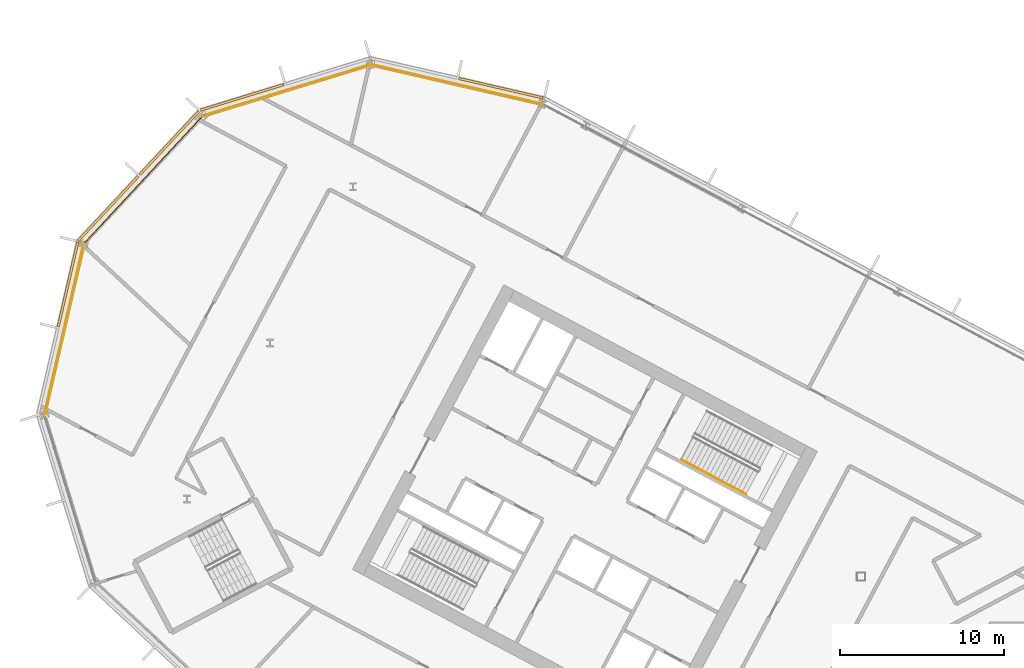
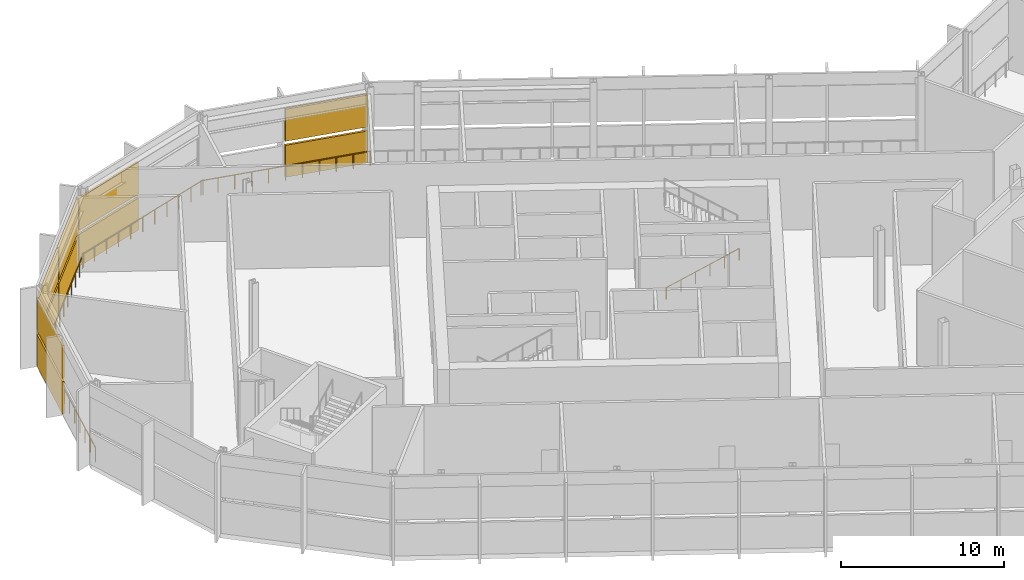
# One storey, part 25 of 33: 10 shading devices, 5 railings, 4 elements without a shape of their own.
"""IFC4 building model written with IfcOpenShell, lengths in metres."""

import ifcopenshell
import ifcopenshell.guid

model = None  # the IFC model being written
_history = None  # IfcOwnerHistory: only IFC2X3 demands one
_inside = {}  # id of a spatial element -> (the spatial element, [elements in it])
_under = {}  # id of a project, library or spatial element -> (it, [spatial elements below it])
_declared = {}  # id of a project -> (the project, [libraries it declares])
_typed = {}  # id of a type object -> (the type object, [elements of that type])
_made_of = {}  # id of a material, layer set ... -> (it, [elements and type objects made of it])


def new_model(schema):
    """Start an empty IFC model of exactly this schema.

    Asked for "IFC4X3", IfcOpenShell would pick the latest addendum, in which some entities
    have other attributes; the version numbers below select the first issue.
    IFC2X3 requires an IfcOwnerHistory on every rooted entity: one is made here for all.
    """
    global model, _history
    if schema == "IFC4X3":
        model = ifcopenshell.file(schema_version=(4, 3, 0, 0))
    else:
        model = ifcopenshell.file(schema=schema)
    _inside.clear()
    _under.clear()
    _declared.clear()
    _typed.clear()
    _made_of.clear()
    _history = None
    if model.schema == "IFC2X3":
        org = make("IfcOrganization", Name="unknown")
        user = make(
            "IfcPersonAndOrganization",
            ThePerson=make("IfcPerson", FamilyName="unknown"),
            TheOrganization=org,
        )
        app = make(
            "IfcApplication",
            ApplicationDeveloper=org,
            Version="unknown",
            ApplicationFullName="unknown",
            ApplicationIdentifier="unknown",
        )
        _history = make(
            "IfcOwnerHistory",
            OwningUser=user,
            OwningApplication=app,
            ChangeAction="ADDED",
            CreationDate=0,
        )
    return model


def make(cls, **values):
    """One entity of the class cls with the attributes given. An attribute that is None is left unset."""
    return model.create_entity(
        cls, **{name: value for name, value in values.items() if value is not None}
    )


def rooted(cls, **values):
    """An entity with a GlobalId (a new one), such as an element, a storey or a relation."""
    return make(cls, GlobalId=ifcopenshell.guid.new(), OwnerHistory=_history, **values)


def si_unit(unit_type, name, prefix=None):
    """IfcSIUnit, for example si_unit("LENGTHUNIT", "METRE", prefix="MILLI")."""
    return make("IfcSIUnit", UnitType=unit_type, Prefix=prefix, Name=name)


def assignment(units):
    """IfcUnitAssignment: the units of a project."""
    return None if units is None else make("IfcUnitAssignment", Units=units)


def point(xyz):
    """IfcCartesianPoint."""
    return None if xyz is None else make("IfcCartesianPoint", Coordinates=xyz)


def direction(xyz):
    """IfcDirection."""
    return None if xyz is None else make("IfcDirection", DirectionRatios=xyz)


def frame(location, z_axis=None, x_axis=None):
    """IfcAxis2Placement3D, a coordinate frame: its origin and axes. An axis left out is left unset."""
    return make(
        "IfcAxis2Placement3D",
        Location=point(location),
        Axis=direction(z_axis),
        RefDirection=direction(x_axis),
    )


def frame_2d(location, x_axis=None):
    """IfcAxis2Placement2D, a coordinate frame in the plane: its origin and x axis."""
    return make(
        "IfcAxis2Placement2D", Location=point(location), RefDirection=direction(x_axis)
    )


def origin():
    """The frame at (0, 0, 0) with its axes left unset."""
    return frame((0.0, 0.0, 0.0))


def origin_2d():
    """The frame at (0, 0) in the plane with its x axis left unset."""
    return frame_2d((0.0, 0.0))


def place(relative_to, where):
    """IfcLocalPlacement: puts the frame where relative to a parent placement (None: the world)."""
    return make(
        "IfcLocalPlacement", PlacementRelTo=relative_to, RelativePlacement=where
    )


def context(
    kind, dimensions, precision=None, world=None, true_north=None, identifier=None
):
    """IfcGeometricRepresentationContext, for example the 3D "Model" context."""
    return make(
        "IfcGeometricRepresentationContext",
        ContextIdentifier=identifier,
        ContextType=kind,
        CoordinateSpaceDimension=dimensions,
        Precision=precision,
        WorldCoordinateSystem=world,
        TrueNorth=true_north,
    )


def subcontext(parent, identifier, kind, view, scale=None):
    """IfcGeometricRepresentationSubContext, for example "Body" below "Model"."""
    return make(
        "IfcGeometricRepresentationSubContext",
        ContextIdentifier=identifier,
        ContextType=kind,
        ParentContext=parent,
        TargetScale=scale,
        TargetView=view,
    )


def project(units=None, contexts=None):
    """IfcProject with its units and contexts."""
    return rooted(
        "IfcProject",
        Name="project",
        RepresentationContexts=contexts,
        UnitsInContext=assignment(units),
    )


def spatial(cls, under=None, at=None, **own):
    """A site, building, storey or space (cls), placed at a placement, below another one or the project."""
    s = rooted(cls, ObjectPlacement=at, **own)
    if under is not None:
        _under.setdefault(under.id(), (under, []))[1].append(s)
    return s


def polyline(points):
    """IfcPolyline through the points."""
    return make("IfcPolyline", Points=[point(p) for p in points])


def profile(cls, at=None, kind="AREA", **sizes):
    """A parametric profile (cls). Its sizes go by their IFC names, for example OverallWidth=200.0."""
    return make(cls, ProfileType=kind, Position=at, **sizes)


def rectangle(**sizes):
    """IfcRectangleProfileDef."""
    return profile("IfcRectangleProfileDef", **sizes)


def outline(outer, holes=None, kind="AREA"):
    """IfcArbitraryClosedProfileDef: a profile drawn as a closed curve; with holes, ...WithVoids."""
    if holes is None:
        return make("IfcArbitraryClosedProfileDef", ProfileType=kind, OuterCurve=outer)
    return make(
        "IfcArbitraryProfileDefWithVoids",
        ProfileType=kind,
        OuterCurve=outer,
        InnerCurves=holes,
    )


def extrude(swept, where, along, depth):
    """IfcExtrudedAreaSolid: the profile swept, set in the frame where, extruded along a direction by depth."""
    return make(
        "IfcExtrudedAreaSolid",
        SweptArea=swept,
        Position=where,
        ExtrudedDirection=direction(along),
        Depth=depth,
    )


def shape(context_of_items, identifier, shape_type, items):
    """IfcShapeRepresentation: the items that make up one representation, for example the "Body"."""
    return make(
        "IfcShapeRepresentation",
        ContextOfItems=context_of_items,
        RepresentationIdentifier=identifier,
        RepresentationType=shape_type,
        Items=items,
    )


def material(Name=None, Category=None):
    """IfcMaterial."""
    return make("IfcMaterial", Name=Name, Category=Category)


def layer(
    of_material, thickness, ventilated=None, Name=None, Category=None, Priority=None
):
    """IfcMaterialLayer: one layer of a wall or slab, of a material (None: an air gap)."""
    return make(
        "IfcMaterialLayer",
        Material=of_material,
        LayerThickness=thickness,
        IsVentilated=ventilated,
        Name=Name,
        Category=Category,
        Priority=Priority,
    )


def layer_set(layers, Name=None):
    """IfcMaterialLayerSet."""
    return make("IfcMaterialLayerSet", MaterialLayers=layers, LayerSetName=Name)


def made_of(thing, what):
    """Note that an element or type object is made of a material, layer set ...; save() writes the relation."""
    if what is not None:
        _made_of.setdefault(what.id(), (what, []))[1].append(thing)
    return thing


def type_object(cls, material=None, **own):
    """A type object (cls), such as IfcWallType, which elements share."""
    return made_of(rooted(cls, **own), material)


def element(
    cls,
    number,
    at=None,
    inside=None,
    cuts=None,
    type_object=None,
    material=None,
    context=None,
    identifier="Body",
    shape_type=None,
    held_by="IfcProductDefinitionShape",
    body=None,
    shapes=None,
    **own,
):
    """One element of the class cls, such as IfcWall. Its Tag is "e" and its number.

    at: its placement. inside: the storey or other place that contains it. cuts: it is an
    opening in that element (IfcRelVoidsElement). A single representation is given by context,
    identifier, shape_type and body (its items); several are given by shapes. held_by: the class
    of the entity that holds the representations. save() writes the other relations.
    """
    e = rooted(cls, Tag="e%d" % number, ObjectPlacement=at, **own)
    if body is not None:
        shapes = [shape(context, identifier, shape_type, body)]
    if shapes is not None:
        e.Representation = make(held_by, Representations=shapes)
    if inside is not None:
        _inside.setdefault(inside.id(), (inside, []))[1].append(e)
    if cuts is not None:
        rooted(
            "IfcRelVoidsElement", RelatingBuildingElement=cuts, RelatedOpeningElement=e
        )
    if type_object is not None:
        _typed.setdefault(type_object.id(), (type_object, []))[1].append(e)
    return made_of(e, material)


def aggregate(whole, parts):
    """IfcRelAggregates: a whole, such as a stair, and the parts it consists of."""
    return rooted("IfcRelAggregates", RelatingObject=whole, RelatedObjects=parts)


def save(model, path):
    """Write the relations noted so far, then the file.

    IfcRelAggregates (storeys below a building ...), IfcRelContainedInSpatialStructure (elements
    in a storey), IfcRelDefinesByType, IfcRelAssociatesMaterial and IfcRelDeclares: one each for
    every whole, place, type object, material and project.
    """
    for whole, parts in _under.values():
        aggregate(whole, parts)
    for where, things in _inside.values():
        rooted(
            "IfcRelContainedInSpatialStructure",
            RelatedElements=things,
            RelatingStructure=where,
        )
    for kind, things in _typed.values():
        rooted("IfcRelDefinesByType", RelatedObjects=things, RelatingType=kind)
    for what, things in _made_of.values():
        rooted("IfcRelAssociatesMaterial", RelatedObjects=things, RelatingMaterial=what)
    for by, libraries in _declared.values():
        rooted("IfcRelDeclares", RelatingContext=by, RelatedDefinitions=libraries)
    model.write(path)


model = new_model("IFC4")

# Units and contexts
model_context = context("Model", 3, precision=1e-05, world=origin(), true_north=direction((0.0, 1.0)))
body_context = subcontext(model_context, "Body", "Model", "MODEL_VIEW")
ifc_project = project(units=[si_unit("LENGTHUNIT", "METRE"), si_unit("AREAUNIT", "SQUARE_METRE"), si_unit("VOLUMEUNIT", "CUBIC_METRE"), si_unit("PLANEANGLEUNIT", "RADIAN"), si_unit("MASSUNIT", "GRAM", prefix="KILO")], contexts=[model_context])

# Site, building, storey
site_placement = place(None, origin())
site = spatial("IfcSite", under=ifc_project, at=site_placement, CompositionType="ELEMENT")
building_placement = place(site_placement, origin())
building = spatial("IfcBuilding", under=site, at=building_placement, Name="Cormorant Relay Tower", CompositionType="ELEMENT")
storey_placement = place(building_placement, frame((0.0, 0.0, 183.60009765625)))
storey = spatial("IfcBuildingStorey", under=building, at=storey_placement, Name="L39", CompositionType="ELEMENT", Elevation=183.60009765625)

# Railings
ifc_material_1 = material(Name="Stainless steel 316 guard", Category="steel")
railing_type_1 = type_object("IfcRailingType", Name="Band louvre guard 1100", PredefinedType="GUARDRAIL", material=ifc_material_1)
railing_1_placement = place(storey_placement, frame((-29.941162109375, 39.375732421875, 0.0)))
element("IfcRailing", 1, at=railing_1_placement, inside=storey, type_object=railing_type_1, Name="CW4 guard 10", PredefinedType="GUARDRAIL", context=body_context, shape_type="SweptSolid", body=[
    extrude(outline(polyline([(0.022216796875, 0.00927734375), (0.00927734375, 0.022216796875), (-0.00927734375, 0.022216796875), (-0.022216796875, 0.00927734375), (-0.022216796875, -0.00927734375), (-0.00927734375, -0.022216796875), (0.00927734375, -0.022216796875), (0.022216796875, -0.00927734375), (0.022216796875, 0.00927734375)])), frame((0.0, 0.0, 1.076171875), z_axis=(-0.974369993916, 0.22495136131, 0.0), x_axis=(-0.22495136131, -0.974369993916, 0.0)), (0.0, 0.0, 1.0), 10.870361328125),
    extrude(outline(polyline([(0.019287109375, 0.008056640625), (0.008056640625, 0.019287109375), (-0.008056640625, 0.019287109375), (-0.019287109375, 0.008056640625), (-0.019287109375, -0.008056640625), (-0.008056640625, -0.019287109375), (0.008056640625, -0.019287109375), (0.019287109375, -0.008056640625), (0.019287109375, 0.008056640625)])), origin(), (0.0, 0.0, 1.0), 1.052001953125),
    extrude(outline(polyline([(0.019287109375, 0.008056640625), (0.008056640625, 0.019287109375), (-0.008056640625, 0.019287109375), (-0.019287109375, 0.008056640625), (-0.019287109375, -0.008056640625), (-0.008056640625, -0.019287109375), (0.008056640625, -0.019287109375), (0.019287109375, -0.008056640625), (0.019287109375, 0.008056640625)])), frame((-1.05908203125, 0.24462890625, 0.0)), (0.0, 0.0, 1.0), 1.052001953125),
    extrude(outline(polyline([(0.019287109375, 0.008056640625), (0.008056640625, 0.019287109375), (-0.008056640625, 0.019287109375), (-0.019287109375, 0.008056640625), (-0.019287109375, -0.008056640625), (-0.008056640625, -0.019287109375), (0.008056640625, -0.019287109375), (0.019287109375, -0.008056640625), (0.019287109375, 0.008056640625)])), frame((-2.118408203125, 0.489013671875, 0.0)), (0.0, 0.0, 1.0), 1.052001953125),
    extrude(outline(polyline([(0.019287109375, 0.008056640625), (0.008056640625, 0.019287109375), (-0.008056640625, 0.019287109375), (-0.019287109375, 0.008056640625), (-0.019287109375, -0.008056640625), (-0.008056640625, -0.019287109375), (0.008056640625, -0.019287109375), (0.019287109375, -0.008056640625), (0.019287109375, 0.008056640625)])), frame((-3.177490234375, 0.733642578125, 0.0)), (0.0, 0.0, 1.0), 1.052001953125),
    extrude(outline(polyline([(0.019287109375, 0.008056640625), (0.008056640625, 0.019287109375), (-0.008056640625, 0.019287109375), (-0.019287109375, 0.008056640625), (-0.019287109375, -0.008056640625), (-0.008056640625, -0.019287109375), (0.008056640625, -0.019287109375), (0.019287109375, -0.008056640625), (0.019287109375, 0.008056640625)])), frame((-4.23681640625, 0.97802734375, 0.0)), (0.0, 0.0, 1.0), 1.052001953125),
    extrude(outline(polyline([(0.019287109375, 0.008056640625), (0.008056640625, 0.019287109375), (-0.008056640625, 0.019287109375), (-0.019287109375, 0.008056640625), (-0.019287109375, -0.008056640625), (-0.008056640625, -0.019287109375), (0.008056640625, -0.019287109375), (0.019287109375, -0.008056640625), (0.019287109375, 0.008056640625)])), frame((-5.2958984375, 1.22265625, 0.0)), (0.0, 0.0, 1.0), 1.052001953125),
    extrude(outline(polyline([(0.019287109375, 0.008056640625), (0.008056640625, 0.019287109375), (-0.008056640625, 0.019287109375), (-0.019287109375, 0.008056640625), (-0.019287109375, -0.008056640625), (-0.008056640625, -0.019287109375), (0.008056640625, -0.019287109375), (0.019287109375, -0.008056640625), (0.019287109375, 0.008056640625)])), frame((-6.35498046875, 1.46728515625, 0.0)), (0.0, 0.0, 1.0), 1.052001953125),
    extrude(outline(polyline([(0.019287109375, 0.008056640625), (0.008056640625, 0.019287109375), (-0.008056640625, 0.019287109375), (-0.019287109375, 0.008056640625), (-0.019287109375, -0.008056640625), (-0.008056640625, -0.019287109375), (0.008056640625, -0.019287109375), (0.019287109375, -0.008056640625), (0.019287109375, 0.008056640625)])), frame((-7.414306640625, 1.711669921875, 0.0)), (0.0, 0.0, 1.0), 1.052001953125),
    extrude(outline(polyline([(0.019287109375, 0.008056640625), (0.008056640625, 0.019287109375), (-0.008056640625, 0.019287109375), (-0.019287109375, 0.008056640625), (-0.019287109375, -0.008056640625), (-0.008056640625, -0.019287109375), (0.008056640625, -0.019287109375), (0.019287109375, -0.008056640625), (0.019287109375, 0.008056640625)])), frame((-8.473388671875, 1.956298828125, 0.0)), (0.0, 0.0, 1.0), 1.052001953125),
    extrude(outline(polyline([(0.019287109375, 0.008056640625), (0.008056640625, 0.019287109375), (-0.008056640625, 0.019287109375), (-0.019287109375, 0.008056640625), (-0.019287109375, -0.008056640625), (-0.008056640625, -0.019287109375), (0.008056640625, -0.019287109375), (0.019287109375, -0.008056640625), (0.019287109375, 0.008056640625)])), frame((-9.53271484375, 2.20068359375, 0.0)), (0.0, 0.0, 1.0), 1.052001953125),
    extrude(outline(polyline([(0.019287109375, 0.008056640625), (0.008056640625, 0.019287109375), (-0.008056640625, 0.019287109375), (-0.019287109375, 0.008056640625), (-0.019287109375, -0.008056640625), (-0.008056640625, -0.019287109375), (0.008056640625, -0.019287109375), (0.019287109375, -0.008056640625), (0.019287109375, 0.008056640625)])), frame((-10.591796875, 2.4453125, 0.0)), (0.0, 0.0, 1.0), 1.052001953125),
])
railing_2_placement = place(storey_placement, frame((-40.377685546875, 41.826416015625, 0.0)))
element("IfcRailing", 2, at=railing_2_placement, inside=storey, type_object=railing_type_1, Name="CW4 guard 11", PredefinedType="GUARDRAIL", context=body_context, shape_type="SweptSolid", body=[
    extrude(outline(polyline([(0.022216796875, 0.00927734375), (0.00927734375, 0.022216796875), (-0.00927734375, 0.022216796875), (-0.022216796875, 0.00927734375), (-0.022216796875, -0.00927734375), (-0.00927734375, -0.022216796875), (0.00927734375, -0.022216796875), (0.022216796875, -0.00927734375), (0.022216796875, 0.00927734375)])), frame((0.0, 0.0, 1.076171875), z_axis=(-0.956304833932, -0.292371449698, 0.0), x_axis=(0.292371449698, -0.956304833932, 0.0)), (0.0, 0.0, 1.0), 10.87060546875),
    extrude(outline(polyline([(0.019287109375, 0.008056640625), (0.008056640625, 0.019287109375), (-0.008056640625, 0.019287109375), (-0.019287109375, 0.008056640625), (-0.019287109375, -0.008056640625), (-0.008056640625, -0.019287109375), (0.008056640625, -0.019287109375), (0.019287109375, -0.008056640625), (0.019287109375, 0.008056640625)])), origin(), (0.0, 0.0, 1.0), 1.052001953125),
    extrude(outline(polyline([(0.019287109375, 0.008056640625), (0.008056640625, 0.019287109375), (-0.008056640625, 0.019287109375), (-0.019287109375, 0.008056640625), (-0.019287109375, -0.008056640625), (-0.008056640625, -0.019287109375), (0.008056640625, -0.019287109375), (0.019287109375, -0.008056640625), (0.019287109375, 0.008056640625)])), frame((-1.03955078125, -0.31787109375, 0.0)), (0.0, 0.0, 1.0), 1.052001953125),
    extrude(outline(polyline([(0.019287109375, 0.008056640625), (0.008056640625, 0.019287109375), (-0.008056640625, 0.019287109375), (-0.019287109375, 0.008056640625), (-0.019287109375, -0.008056640625), (-0.008056640625, -0.019287109375), (0.008056640625, -0.019287109375), (0.019287109375, -0.008056640625), (0.019287109375, 0.008056640625)])), frame((-2.0791015625, -0.6357421875, 0.0)), (0.0, 0.0, 1.0), 1.052001953125),
    extrude(outline(polyline([(0.019287109375, 0.008056640625), (0.008056640625, 0.019287109375), (-0.008056640625, 0.019287109375), (-0.019287109375, 0.008056640625), (-0.019287109375, -0.008056640625), (-0.008056640625, -0.019287109375), (0.008056640625, -0.019287109375), (0.019287109375, -0.008056640625), (0.019287109375, 0.008056640625)])), frame((-3.11865234375, -0.953369140625, 0.0)), (0.0, 0.0, 1.0), 1.052001953125),
    extrude(outline(polyline([(0.019287109375, 0.008056640625), (0.008056640625, 0.019287109375), (-0.008056640625, 0.019287109375), (-0.019287109375, 0.008056640625), (-0.019287109375, -0.008056640625), (-0.008056640625, -0.019287109375), (0.008056640625, -0.019287109375), (0.019287109375, -0.008056640625), (0.019287109375, 0.008056640625)])), frame((-4.158203125, -1.271240234375, 0.0)), (0.0, 0.0, 1.0), 1.052001953125),
    extrude(outline(polyline([(0.019287109375, 0.008056640625), (0.008056640625, 0.019287109375), (-0.008056640625, 0.019287109375), (-0.019287109375, 0.008056640625), (-0.019287109375, -0.008056640625), (-0.008056640625, -0.019287109375), (0.008056640625, -0.019287109375), (0.019287109375, -0.008056640625), (0.019287109375, 0.008056640625)])), frame((-5.19775390625, -1.589111328125, 0.0)), (0.0, 0.0, 1.0), 1.052001953125),
    extrude(outline(polyline([(0.019287109375, 0.008056640625), (0.008056640625, 0.019287109375), (-0.008056640625, 0.019287109375), (-0.019287109375, 0.008056640625), (-0.019287109375, -0.008056640625), (-0.008056640625, -0.019287109375), (0.008056640625, -0.019287109375), (0.019287109375, -0.008056640625), (0.019287109375, 0.008056640625)])), frame((-6.2373046875, -1.906982421875, 0.0)), (0.0, 0.0, 1.0), 1.052001953125),
    extrude(outline(polyline([(0.019287109375, 0.008056640625), (0.008056640625, 0.019287109375), (-0.008056640625, 0.019287109375), (-0.019287109375, 0.008056640625), (-0.019287109375, -0.008056640625), (-0.008056640625, -0.019287109375), (0.008056640625, -0.019287109375), (0.019287109375, -0.008056640625), (0.019287109375, 0.008056640625)])), frame((-7.27685546875, -2.224853515625, 0.0)), (0.0, 0.0, 1.0), 1.052001953125),
    extrude(outline(polyline([(0.019287109375, 0.008056640625), (0.008056640625, 0.019287109375), (-0.008056640625, 0.019287109375), (-0.019287109375, 0.008056640625), (-0.019287109375, -0.008056640625), (-0.008056640625, -0.019287109375), (0.008056640625, -0.019287109375), (0.019287109375, -0.008056640625), (0.019287109375, 0.008056640625)])), frame((-8.31640625, -2.54248046875, 0.0)), (0.0, 0.0, 1.0), 1.052001953125),
    extrude(outline(polyline([(0.019287109375, 0.008056640625), (0.008056640625, 0.019287109375), (-0.008056640625, 0.019287109375), (-0.019287109375, 0.008056640625), (-0.019287109375, -0.008056640625), (-0.008056640625, -0.019287109375), (0.008056640625, -0.019287109375), (0.019287109375, -0.008056640625), (0.019287109375, 0.008056640625)])), frame((-9.35595703125, -2.8603515625, 0.0)), (0.0, 0.0, 1.0), 1.052001953125),
    extrude(outline(polyline([(0.019287109375, 0.008056640625), (0.008056640625, 0.019287109375), (-0.008056640625, 0.019287109375), (-0.019287109375, 0.008056640625), (-0.019287109375, -0.008056640625), (-0.008056640625, -0.019287109375), (0.008056640625, -0.019287109375), (0.019287109375, -0.008056640625), (0.019287109375, 0.008056640625)])), frame((-10.3955078125, -3.17822265625, 0.0)), (0.0, 0.0, 1.0), 1.052001953125),
])
railing_3_placement = place(storey_placement, frame((-50.6416015625, 38.730712890625, 0.0)))
element("IfcRailing", 3, at=railing_3_placement, inside=storey, type_object=railing_type_1, Name="CW4 guard 12", PredefinedType="GUARDRAIL", context=body_context, shape_type="SweptSolid", body=[
    extrude(outline(polyline([(0.022216796875, 0.00927734375), (0.00927734375, 0.022216796875), (-0.00927734375, 0.022216796875), (-0.022216796875, 0.00927734375), (-0.022216796875, -0.00927734375), (-0.00927734375, -0.022216796875), (0.00927734375, -0.022216796875), (0.022216796875, -0.00927734375), (0.022216796875, 0.00927734375)])), frame((0.0, 0.0, 1.076171875), z_axis=(-0.681993299437, -0.731358420696, 0.0), x_axis=(0.731358420696, -0.681993299437, 0.0)), (0.0, 0.0, 1.0), 10.870361328125),
    extrude(outline(polyline([(0.019287109375, 0.008056640625), (0.008056640625, 0.019287109375), (-0.008056640625, 0.019287109375), (-0.019287109375, 0.008056640625), (-0.019287109375, -0.008056640625), (-0.008056640625, -0.019287109375), (0.008056640625, -0.019287109375), (0.019287109375, -0.008056640625), (0.019287109375, 0.008056640625)])), origin(), (0.0, 0.0, 1.0), 1.052001953125),
    extrude(outline(polyline([(0.019287109375, 0.008056640625), (0.008056640625, 0.019287109375), (-0.008056640625, 0.019287109375), (-0.019287109375, 0.008056640625), (-0.019287109375, -0.008056640625), (-0.008056640625, -0.019287109375), (0.008056640625, -0.019287109375), (0.019287109375, -0.008056640625), (0.019287109375, 0.008056640625)])), frame((-0.741455078125, -0.794921875, 0.0)), (0.0, 0.0, 1.0), 1.052001953125),
    extrude(outline(polyline([(0.019287109375, 0.008056640625), (0.008056640625, 0.019287109375), (-0.008056640625, 0.019287109375), (-0.019287109375, 0.008056640625), (-0.019287109375, -0.008056640625), (-0.008056640625, -0.019287109375), (0.008056640625, -0.019287109375), (0.019287109375, -0.008056640625), (0.019287109375, 0.008056640625)])), frame((-1.482666015625, -1.590087890625, 0.0)), (0.0, 0.0, 1.0), 1.052001953125),
    extrude(outline(polyline([(0.019287109375, 0.008056640625), (0.008056640625, 0.019287109375), (-0.008056640625, 0.019287109375), (-0.019287109375, 0.008056640625), (-0.019287109375, -0.008056640625), (-0.008056640625, -0.019287109375), (0.008056640625, -0.019287109375), (0.019287109375, -0.008056640625), (0.019287109375, 0.008056640625)])), frame((-2.22412109375, -2.385009765625, 0.0)), (0.0, 0.0, 1.0), 1.052001953125),
    extrude(outline(polyline([(0.019287109375, 0.008056640625), (0.008056640625, 0.019287109375), (-0.008056640625, 0.019287109375), (-0.019287109375, 0.008056640625), (-0.019287109375, -0.008056640625), (-0.008056640625, -0.019287109375), (0.008056640625, -0.019287109375), (0.019287109375, -0.008056640625), (0.019287109375, 0.008056640625)])), frame((-2.96533203125, -3.18017578125, 0.0)), (0.0, 0.0, 1.0), 1.052001953125),
    extrude(outline(polyline([(0.019287109375, 0.008056640625), (0.008056640625, 0.019287109375), (-0.008056640625, 0.019287109375), (-0.019287109375, 0.008056640625), (-0.019287109375, -0.008056640625), (-0.008056640625, -0.019287109375), (0.008056640625, -0.019287109375), (0.019287109375, -0.008056640625), (0.019287109375, 0.008056640625)])), frame((-3.706787109375, -3.97509765625, 0.0)), (0.0, 0.0, 1.0), 1.052001953125),
    extrude(outline(polyline([(0.019287109375, 0.008056640625), (0.008056640625, 0.019287109375), (-0.008056640625, 0.019287109375), (-0.019287109375, 0.008056640625), (-0.019287109375, -0.008056640625), (-0.008056640625, -0.019287109375), (0.008056640625, -0.019287109375), (0.019287109375, -0.008056640625), (0.019287109375, 0.008056640625)])), frame((-4.4482421875, -4.77001953125, 0.0)), (0.0, 0.0, 1.0), 1.052001953125),
    extrude(outline(polyline([(0.019287109375, 0.008056640625), (0.008056640625, 0.019287109375), (-0.008056640625, 0.019287109375), (-0.019287109375, 0.008056640625), (-0.019287109375, -0.008056640625), (-0.008056640625, -0.019287109375), (0.008056640625, -0.019287109375), (0.019287109375, -0.008056640625), (0.019287109375, 0.008056640625)])), frame((-5.189453125, -5.565185546875, 0.0)), (0.0, 0.0, 1.0), 1.052001953125),
    extrude(outline(polyline([(0.019287109375, 0.008056640625), (0.008056640625, 0.019287109375), (-0.008056640625, 0.019287109375), (-0.019287109375, 0.008056640625), (-0.019287109375, -0.008056640625), (-0.008056640625, -0.019287109375), (0.008056640625, -0.019287109375), (0.019287109375, -0.008056640625), (0.019287109375, 0.008056640625)])), frame((-5.930908203125, -6.360107421875, 0.0)), (0.0, 0.0, 1.0), 1.052001953125),
    extrude(outline(polyline([(0.019287109375, 0.008056640625), (0.008056640625, 0.019287109375), (-0.008056640625, 0.019287109375), (-0.019287109375, 0.008056640625), (-0.019287109375, -0.008056640625), (-0.008056640625, -0.019287109375), (0.008056640625, -0.019287109375), (0.019287109375, -0.008056640625), (0.019287109375, 0.008056640625)])), frame((-6.672119140625, -7.1552734375, 0.0)), (0.0, 0.0, 1.0), 1.052001953125),
    extrude(outline(polyline([(0.019287109375, 0.008056640625), (0.008056640625, 0.019287109375), (-0.008056640625, 0.019287109375), (-0.019287109375, 0.008056640625), (-0.019287109375, -0.008056640625), (-0.008056640625, -0.019287109375), (0.008056640625, -0.019287109375), (0.019287109375, -0.008056640625), (0.019287109375, 0.008056640625)])), frame((-7.41357421875, -7.9501953125, 0.0)), (0.0, 0.0, 1.0), 1.052001953125),
])
railing_4_placement = place(storey_placement, frame((-57.982177734375, 30.91748046875, 0.0)))
element("IfcRailing", 4, at=railing_4_placement, inside=storey, type_object=railing_type_1, Name="CW4 guard 13", PredefinedType="GUARDRAIL", context=body_context, shape_type="SweptSolid", body=[
    extrude(outline(polyline([(0.022216796875, 0.00927734375), (0.00927734375, 0.022216796875), (-0.00927734375, 0.022216796875), (-0.022216796875, 0.00927734375), (-0.022216796875, -0.00927734375), (-0.00927734375, -0.022216796875), (0.00927734375, -0.022216796875), (0.022216796875, -0.00927734375), (0.022216796875, 0.00927734375)])), frame((0.0, 0.0, 1.076171875), z_axis=(-0.22495136131, -0.974369993916, 0.0), x_axis=(0.974369993916, -0.22495136131, 0.0)), (0.0, 0.0, 1.0), 10.870361328125),
    extrude(outline(polyline([(0.019287109375, 0.008056640625), (0.008056640625, 0.019287109375), (-0.008056640625, 0.019287109375), (-0.019287109375, 0.008056640625), (-0.019287109375, -0.008056640625), (-0.008056640625, -0.019287109375), (0.008056640625, -0.019287109375), (0.019287109375, -0.008056640625), (0.019287109375, 0.008056640625)])), origin(), (0.0, 0.0, 1.0), 1.052001953125),
    extrude(outline(polyline([(0.019287109375, 0.008056640625), (0.008056640625, 0.019287109375), (-0.008056640625, 0.019287109375), (-0.019287109375, 0.008056640625), (-0.019287109375, -0.008056640625), (-0.008056640625, -0.019287109375), (0.008056640625, -0.019287109375), (0.019287109375, -0.008056640625), (0.019287109375, 0.008056640625)])), frame((-0.24462890625, -1.05908203125, 0.0)), (0.0, 0.0, 1.0), 1.052001953125),
    extrude(outline(polyline([(0.019287109375, 0.008056640625), (0.008056640625, 0.019287109375), (-0.008056640625, 0.019287109375), (-0.019287109375, 0.008056640625), (-0.019287109375, -0.008056640625), (-0.008056640625, -0.019287109375), (0.008056640625, -0.019287109375), (0.019287109375, -0.008056640625), (0.019287109375, 0.008056640625)])), frame((-0.489013671875, -2.118408203125, 0.0)), (0.0, 0.0, 1.0), 1.052001953125),
    extrude(outline(polyline([(0.019287109375, 0.008056640625), (0.008056640625, 0.019287109375), (-0.008056640625, 0.019287109375), (-0.019287109375, 0.008056640625), (-0.019287109375, -0.008056640625), (-0.008056640625, -0.019287109375), (0.008056640625, -0.019287109375), (0.019287109375, -0.008056640625), (0.019287109375, 0.008056640625)])), frame((-0.733642578125, -3.177490234375, 0.0)), (0.0, 0.0, 1.0), 1.052001953125),
    extrude(outline(polyline([(0.019287109375, 0.008056640625), (0.008056640625, 0.019287109375), (-0.008056640625, 0.019287109375), (-0.019287109375, 0.008056640625), (-0.019287109375, -0.008056640625), (-0.008056640625, -0.019287109375), (0.008056640625, -0.019287109375), (0.019287109375, -0.008056640625), (0.019287109375, 0.008056640625)])), frame((-0.97802734375, -4.23681640625, 0.0)), (0.0, 0.0, 1.0), 1.052001953125),
    extrude(outline(polyline([(0.019287109375, 0.008056640625), (0.008056640625, 0.019287109375), (-0.008056640625, 0.019287109375), (-0.019287109375, 0.008056640625), (-0.019287109375, -0.008056640625), (-0.008056640625, -0.019287109375), (0.008056640625, -0.019287109375), (0.019287109375, -0.008056640625), (0.019287109375, 0.008056640625)])), frame((-1.22265625, -5.2958984375, 0.0)), (0.0, 0.0, 1.0), 1.052001953125),
    extrude(outline(polyline([(0.019287109375, 0.008056640625), (0.008056640625, 0.019287109375), (-0.008056640625, 0.019287109375), (-0.019287109375, 0.008056640625), (-0.019287109375, -0.008056640625), (-0.008056640625, -0.019287109375), (0.008056640625, -0.019287109375), (0.019287109375, -0.008056640625), (0.019287109375, 0.008056640625)])), frame((-1.46728515625, -6.35498046875, 0.0)), (0.0, 0.0, 1.0), 1.052001953125),
    extrude(outline(polyline([(0.019287109375, 0.008056640625), (0.008056640625, 0.019287109375), (-0.008056640625, 0.019287109375), (-0.019287109375, 0.008056640625), (-0.019287109375, -0.008056640625), (-0.008056640625, -0.019287109375), (0.008056640625, -0.019287109375), (0.019287109375, -0.008056640625), (0.019287109375, 0.008056640625)])), frame((-1.711669921875, -7.414306640625, 0.0)), (0.0, 0.0, 1.0), 1.052001953125),
    extrude(outline(polyline([(0.019287109375, 0.008056640625), (0.008056640625, 0.019287109375), (-0.008056640625, 0.019287109375), (-0.019287109375, 0.008056640625), (-0.019287109375, -0.008056640625), (-0.008056640625, -0.019287109375), (0.008056640625, -0.019287109375), (0.019287109375, -0.008056640625), (0.019287109375, 0.008056640625)])), frame((-1.956298828125, -8.473388671875, 0.0)), (0.0, 0.0, 1.0), 1.052001953125),
    extrude(outline(polyline([(0.019287109375, 0.008056640625), (0.008056640625, 0.019287109375), (-0.008056640625, 0.019287109375), (-0.019287109375, 0.008056640625), (-0.019287109375, -0.008056640625), (-0.008056640625, -0.019287109375), (0.008056640625, -0.019287109375), (0.019287109375, -0.008056640625), (0.019287109375, 0.008056640625)])), frame((-2.20068359375, -9.53271484375, 0.0)), (0.0, 0.0, 1.0), 1.052001953125),
    extrude(outline(polyline([(0.019287109375, 0.008056640625), (0.008056640625, 0.019287109375), (-0.008056640625, 0.019287109375), (-0.019287109375, 0.008056640625), (-0.019287109375, -0.008056640625), (-0.008056640625, -0.019287109375), (0.008056640625, -0.019287109375), (0.019287109375, -0.008056640625), (0.019287109375, 0.008056640625)])), frame((-2.4453125, -10.591796875, 0.0)), (0.0, 0.0, 1.0), 1.052001953125),
])

# Curtain wall, shading devices
ifc_material_2 = material(Name="Aluminium 6063-T6 anodised bronze", Category="aluminium")
ifc_layer = layer(ifc_material_2, 0.199951171875)
ifc_layer_set = layer_set([ifc_layer], Name="CW4 band louvre wall")
curtain_wall_type = type_object("IfcCurtainWallType", Name="CW4 band louvre wall", PredefinedType="NOTDEFINED", material=ifc_layer_set)
curtain_wall_1_placement = place(storey_placement, origin())
curtain_wall_1 = element("IfcCurtainWall", 5, at=curtain_wall_1_placement, inside=storey, type_object=curtain_wall_type, Name="CW4 curtain wall 10", PredefinedType="NOTDEFINED")
ifc_material_3 = material(Name="Aluminium 6063-T6 anodised bronze louvre", Category="aluminium")
shading_device_type = type_object("IfcShadingDeviceType", Name="CW4 bronze louvre bank 150 x 2400", PredefinedType="USERDEFINED", material=ifc_material_3)
shading_device_1_placement = place(storey_placement, frame((-32.5048828125, 40.3525390625, 2.699951171875), z_axis=(0.0, 0.0, 1.0), x_axis=(-0.974370064785, 0.224951054344, 0.0)))
shading_device_1 = element("IfcShadingDevice", 6, at=shading_device_1_placement, type_object=shading_device_type, Name="CW4 louvre bank U10.1", ObjectType="LOUVRE", PredefinedType="USERDEFINED", context=body_context, shape_type="SweptSolid", body=[
    extrude(rectangle(XDim=5.28515625, YDim=0.14990234375, at=origin_2d()), origin(), (0.0, 0.0, 1.0), 2.39990234375),
])
shading_device_2_placement = place(storey_placement, frame((-32.5048828125, 40.3525390625, 0.0), z_axis=(0.0, 0.0, 1.0), x_axis=(-0.974370064785, 0.224951054344, 0.0)))
shading_device_2 = element("IfcShadingDevice", 7, at=shading_device_2_placement, type_object=shading_device_type, Name="CW4 louvre bank D10.1", ObjectType="LOUVRE", PredefinedType="USERDEFINED", context=body_context, shape_type="SweptSolid", body=[
    extrude(rectangle(XDim=5.28515625, YDim=0.14990234375, at=origin_2d()), origin(), (0.0, 0.0, 1.0), 2.39990234375),
])
aggregate(curtain_wall_1, [shading_device_1, shading_device_2])

curtain_wall_2_placement = place(storey_placement, origin())
curtain_wall_2 = element("IfcCurtainWall", 8, at=curtain_wall_2_placement, inside=storey, type_object=curtain_wall_type, Name="CW4 curtain wall 11", PredefinedType="NOTDEFINED")
shading_device_3_placement = place(storey_placement, frame((-48.31982421875, 39.79052734375, 2.699951171875), z_axis=(0.0, 0.0, 1.0), x_axis=(-0.956304755963, -0.292371704723, 0.0)))
shading_device_3 = element("IfcShadingDevice", 9, at=shading_device_3_placement, type_object=shading_device_type, Name="CW4 louvre bank U11.2", ObjectType="LOUVRE", PredefinedType="USERDEFINED", context=body_context, shape_type="SweptSolid", body=[
    extrude(rectangle(XDim=5.360107421875, YDim=0.14990234375, at=origin_2d()), origin(), (0.0, 0.0, 1.0), 2.39990234375),
])
shading_device_4_placement = place(storey_placement, frame((-48.31982421875, 39.79052734375, 0.0), z_axis=(0.0, 0.0, 1.0), x_axis=(-0.956304755963, -0.292371704723, 0.0)))
shading_device_4 = element("IfcShadingDevice", 10, at=shading_device_4_placement, type_object=shading_device_type, Name="CW4 louvre bank D11.2", ObjectType="LOUVRE", PredefinedType="USERDEFINED", context=body_context, shape_type="SweptSolid", body=[
    extrude(rectangle(XDim=5.360107421875, YDim=0.14990234375, at=origin_2d()), origin(), (0.0, 0.0, 1.0), 2.39990234375),
])
aggregate(curtain_wall_2, [shading_device_3, shading_device_4])

curtain_wall_3_placement = place(storey_placement, origin())
curtain_wall_3 = element("IfcCurtainWall", 11, at=curtain_wall_3_placement, inside=storey, type_object=curtain_wall_type, Name="CW4 curtain wall 12", PredefinedType="NOTDEFINED")
shading_device_5_placement = place(storey_placement, frame((-52.769287109375, 36.998779296875, 2.699951171875), z_axis=(0.0, 0.0, 1.0), x_axis=(-0.681998360062, -0.731353701619, 0.0)))
shading_device_5 = element("IfcShadingDevice", 12, at=shading_device_5_placement, type_object=shading_device_type, Name="CW4 louvre bank U12.1", ObjectType="LOUVRE", PredefinedType="USERDEFINED", context=body_context, shape_type="SweptSolid", body=[
    extrude(rectangle(XDim=5.28515625, YDim=0.14990234375, at=origin_2d()), origin(), (0.0, 0.0, 1.0), 2.39990234375),
])
shading_device_6_placement = place(storey_placement, frame((-52.769287109375, 36.998779296875, 0.0), z_axis=(0.0, 0.0, 1.0), x_axis=(-0.681998360062, -0.731353701619, 0.0)))
shading_device_6 = element("IfcShadingDevice", 13, at=shading_device_6_placement, type_object=shading_device_type, Name="CW4 louvre bank D12.1", ObjectType="LOUVRE", PredefinedType="USERDEFINED", context=body_context, shape_type="SweptSolid", body=[
    extrude(rectangle(XDim=5.28515625, YDim=0.14990234375, at=origin_2d()), origin(), (0.0, 0.0, 1.0), 2.39990234375),
])
shading_device_7_placement = place(storey_placement, frame((-56.501708984375, 32.996337890625, 2.699951171875), z_axis=(0.0, 0.0, 1.0), x_axis=(-0.681998360062, -0.731353701619, 0.0)))
shading_device_7 = element("IfcShadingDevice", 14, at=shading_device_7_placement, type_object=shading_device_type, Name="CW4 louvre bank U12.2", ObjectType="LOUVRE", PredefinedType="USERDEFINED", context=body_context, shape_type="SweptSolid", body=[
    extrude(rectangle(XDim=5.360107421875, YDim=0.14990234375, at=origin_2d()), origin(), (0.0, 0.0, 1.0), 2.39990234375),
])
shading_device_8_placement = place(storey_placement, frame((-56.501708984375, 32.996337890625, 0.0), z_axis=(0.0, 0.0, 1.0), x_axis=(-0.681998360062, -0.731353701619, 0.0)))
shading_device_8 = element("IfcShadingDevice", 15, at=shading_device_8_placement, type_object=shading_device_type, Name="CW4 louvre bank D12.2", ObjectType="LOUVRE", PredefinedType="USERDEFINED", context=body_context, shape_type="SweptSolid", body=[
    extrude(rectangle(XDim=5.360107421875, YDim=0.14990234375, at=origin_2d()), origin(), (0.0, 0.0, 1.0), 2.39990234375),
])
aggregate(curtain_wall_3, [shading_device_5, shading_device_6, shading_device_7, shading_device_8])

curtain_wall_4_placement = place(storey_placement, origin())
curtain_wall_4 = element("IfcCurtainWall", 16, at=curtain_wall_4_placement, inside=storey, type_object=curtain_wall_type, Name="CW4 curtain wall 13", PredefinedType="NOTDEFINED")
shading_device_9_placement = place(storey_placement, frame((-58.958984375, 28.35400390625, 2.699951171875), z_axis=(0.0, 0.0, 1.0), x_axis=(-0.224951054344, -0.974370064785, 0.0)))
shading_device_9 = element("IfcShadingDevice", 17, at=shading_device_9_placement, type_object=shading_device_type, Name="CW4 louvre bank U13.1", ObjectType="LOUVRE", PredefinedType="USERDEFINED", context=body_context, shape_type="SweptSolid", body=[
    extrude(rectangle(XDim=5.28515625, YDim=0.14990234375, at=origin_2d()), origin(), (0.0, 0.0, 1.0), 2.39990234375),
])
shading_device_10_placement = place(storey_placement, frame((-58.958984375, 28.35400390625, 0.0), z_axis=(0.0, 0.0, 1.0), x_axis=(-0.224951054344, -0.974370064785, 0.0)))
shading_device_10 = element("IfcShadingDevice", 18, at=shading_device_10_placement, type_object=shading_device_type, Name="CW4 louvre bank D13.1", ObjectType="LOUVRE", PredefinedType="USERDEFINED", context=body_context, shape_type="SweptSolid", body=[
    extrude(rectangle(XDim=5.28515625, YDim=0.14990234375, at=origin_2d()), origin(), (0.0, 0.0, 1.0), 2.39990234375),
])
aggregate(curtain_wall_4, [shading_device_9, shading_device_10])

# Railing
ifc_material_4 = material(Name="Steel ASTM A572 Grade 50 (Fy 345 MPa)", Category="steel")
railing_type_2 = type_object("IfcRailingType", Name="Stair handrail 900", PredefinedType="HANDRAIL", material=ifc_material_4)
railing_5_placement = place(storey_placement, frame((-21.478271484375, 17.6494140625, 0.17626953125)))
element("IfcRailing", 19, at=railing_5_placement, inside=storey, type_object=railing_type_2, Name="L39 A1 stair handrail 1", PredefinedType="HANDRAIL", context=body_context, shape_type="SweptSolid", body=[
    extrude(outline(polyline([(0.022216796875, 0.00927734375), (0.00927734375, 0.022216796875), (-0.00927734375, 0.022216796875), (-0.022216796875, 0.00927734375), (-0.022216796875, -0.00927734375), (-0.00927734375, -0.022216796875), (0.00927734375, -0.022216796875), (0.022216796875, -0.00927734375), (0.022216796875, 0.00927734375)])), frame((0.0, 0.0, 0.8759765625), z_axis=(0.746948989206, -0.397171061721, 0.533218862434), x_axis=(0.469481920044, 0.882942085729, 0.0)), (0.0, 0.0, 1.0), 5.295654296875),
    extrude(outline(polyline([(0.019287109375, 0.008056640625), (0.008056640625, 0.019287109375), (-0.008056640625, 0.019287109375), (-0.019287109375, 0.008056640625), (-0.019287109375, -0.008056640625), (-0.008056640625, -0.019287109375), (0.008056640625, -0.019287109375), (0.019287109375, -0.008056640625), (0.019287109375, 0.008056640625)])), origin(), (0.0, 0.0, 1.0), 0.851806640625),
    extrude(outline(polyline([(0.019287109375, 0.008056640625), (0.008056640625, 0.019287109375), (-0.008056640625, 0.019287109375), (-0.019287109375, 0.008056640625), (-0.019287109375, -0.008056640625), (-0.008056640625, -0.019287109375), (0.008056640625, -0.019287109375), (0.019287109375, -0.008056640625), (0.019287109375, 0.008056640625)])), frame((0.791015625, -0.420654296875, 0.564697265625)), (0.0, 0.0, 1.0), 0.851806640625),
    extrude(outline(polyline([(0.019287109375, 0.008056640625), (0.008056640625, 0.019287109375), (-0.008056640625, 0.019287109375), (-0.019287109375, 0.008056640625), (-0.019287109375, -0.008056640625), (-0.008056640625, -0.019287109375), (0.008056640625, -0.019287109375), (0.019287109375, -0.008056640625), (0.019287109375, 0.008056640625)])), frame((1.582275390625, -0.84130859375, 1.12939453125)), (0.0, 0.0, 1.0), 0.851806640625),
    extrude(outline(polyline([(0.019287109375, 0.008056640625), (0.008056640625, 0.019287109375), (-0.008056640625, 0.019287109375), (-0.019287109375, 0.008056640625), (-0.019287109375, -0.008056640625), (-0.008056640625, -0.019287109375), (0.008056640625, -0.019287109375), (0.019287109375, -0.008056640625), (0.019287109375, 0.008056640625)])), frame((2.373291015625, -1.261962890625, 1.6943359375)), (0.0, 0.0, 1.0), 0.851806640625),
    extrude(outline(polyline([(0.019287109375, 0.008056640625), (0.008056640625, 0.019287109375), (-0.008056640625, 0.019287109375), (-0.019287109375, 0.008056640625), (-0.019287109375, -0.008056640625), (-0.008056640625, -0.019287109375), (0.008056640625, -0.019287109375), (0.019287109375, -0.008056640625), (0.019287109375, 0.008056640625)])), frame((3.16455078125, -1.6826171875, 2.259033203125)), (0.0, 0.0, 1.0), 0.851806640625),
    extrude(outline(polyline([(0.019287109375, 0.008056640625), (0.008056640625, 0.019287109375), (-0.008056640625, 0.019287109375), (-0.019287109375, 0.008056640625), (-0.019287109375, -0.008056640625), (-0.008056640625, -0.019287109375), (0.008056640625, -0.019287109375), (0.019287109375, -0.008056640625), (0.019287109375, 0.008056640625)])), frame((3.95556640625, -2.103271484375, 2.82373046875)), (0.0, 0.0, 1.0), 0.851806640625),
])

save(model, "model.ifc")
